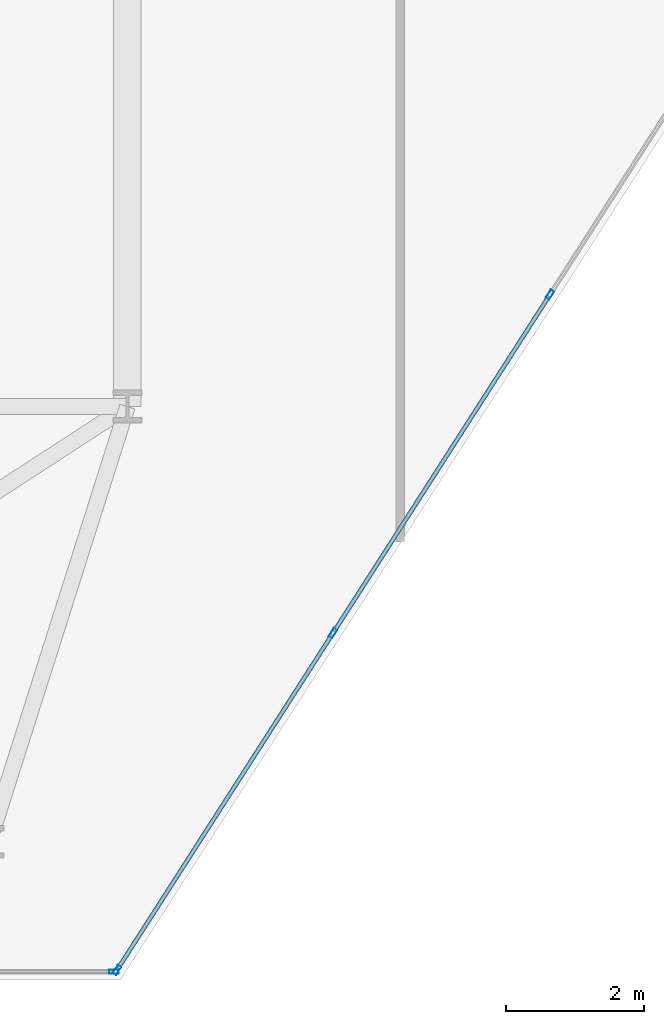
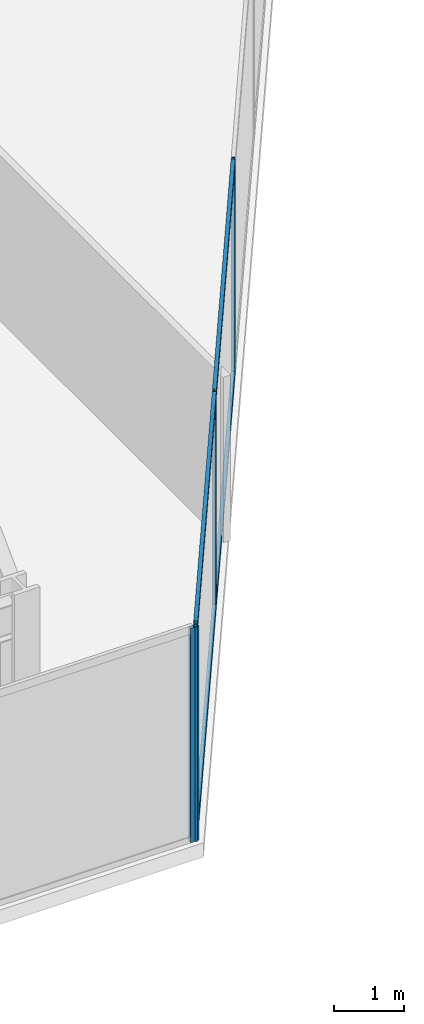
# One storey, part 7 of 26: 8 members, 2 elements without a shape of their own.
"""IFC4 building model written with IfcOpenShell, lengths in metres."""

from ifc_helpers import new_model, si_unit, direction, frame, origin, origin_2d, place, context, subcontext, project, spatial, hollow_rectangle, extrude, material, layer, layer_set, material_profile, profile_set, type_object, element, aggregate, save


model = new_model("IFC4")

# Units and contexts
model_context = context("Model", 3, precision=1e-05, world=origin(), true_north=direction((0.0, 1.0)))
body_context = subcontext(model_context, "Body", "Model", "MODEL_VIEW")
ifc_project = project(units=[si_unit("LENGTHUNIT", "METRE"), si_unit("AREAUNIT", "SQUARE_METRE"), si_unit("VOLUMEUNIT", "CUBIC_METRE"), si_unit("PLANEANGLEUNIT", "RADIAN"), si_unit("MASSUNIT", "GRAM", prefix="KILO")], contexts=[model_context])

# Site, building, storey
site_placement = place(None, origin())
site = spatial("IfcSite", under=ifc_project, at=site_placement, CompositionType="ELEMENT")
building_placement = place(site_placement, origin())
building = spatial("IfcBuilding", under=site, at=building_placement, Name="Kravanh Interchange Tower", CompositionType="ELEMENT")
storey_placement = place(building_placement, frame((0.0, 0.0, 100.0)))
storey = spatial("IfcBuildingStorey", under=building, at=storey_placement, Name="L23", CompositionType="ELEMENT", Elevation=100.0)

# Curtain wall, members
ifc_material_1 = material(Name="Anodised Bronze Aluminium", Category="aluminium")
ifc_layer = layer(ifc_material_1, 0.179931640625)
ifc_layer_set = layer_set([ifc_layer], Name="Unitised Curtain Wall System CW-Z2 Mid Office")
curtain_wall_type = type_object("IfcCurtainWallType", Name="Unitised Curtain Wall System CW-Z2 Mid Office", PredefinedType="NOTDEFINED", material=ifc_layer_set)
curtain_wall_1_placement = place(storey_placement, origin())
curtain_wall_1 = element("IfcCurtainWall", 1, at=curtain_wall_1_placement, inside=storey, type_object=curtain_wall_type, Name="L23 Unitised Curtain Wall CW-L23-05", PredefinedType="NOTDEFINED")
ifc_material_2 = material(Name="Anodised Bronze Aluminium", Category="aluminium")
ifc_material_profile_1 = material_profile(ifc_material_2, hollow_rectangle(XDim=0.06005859375, YDim=0.139892578125, WallThickness=0.00390625, at=origin_2d()), Name="ALU60X140X4")
ifc_profile_set_1 = profile_set([ifc_material_profile_1], Name="Anodised Bronze Aluminium")
member_type_1 = type_object("IfcMemberType", Name="Curtain Wall Mullion ALU60X140X4 Bronze", PredefinedType="MULLION", material=ifc_profile_set_1)
member_1_placement = place(storey_placement, frame((33.317138671875, 16.12109375, 0.0), z_axis=(0.0, 0.0, 1.0), x_axis=(0.841879939476, -0.539664865919, 0.0)))
member_1 = element("IfcMember", 2, at=member_1_placement, type_object=member_type_1, Name="CW-Z2 mullion 3", PredefinedType="MULLION", context=body_context, shape_type="SweptSolid", body=[
    extrude(hollow_rectangle(XDim=0.06005859375, YDim=0.139892578125, WallThickness=0.00390625, at=origin_2d()), origin(), (0.0, 0.0, 1.0), 3.75),
])
member_2_placement = place(storey_placement, frame((30.17578125, 11.220703125, 0.0), z_axis=(0.0, 0.0, 1.0), x_axis=(0.841879939476, -0.539664865919, 0.0)))
member_2 = element("IfcMember", 3, at=member_2_placement, type_object=member_type_1, Name="CW-Z2 mullion 4", PredefinedType="MULLION", context=body_context, shape_type="SweptSolid", body=[
    extrude(hollow_rectangle(XDim=0.06005859375, YDim=0.139892578125, WallThickness=0.00390625, at=origin_2d()), origin(), (0.0, 0.0, 1.0), 3.75),
])
member_3_placement = place(storey_placement, frame((27.050537109375, 6.34521484375, 0.0), z_axis=(0.0, 0.0, 1.0), x_axis=(0.841879939476, -0.539664865919, 0.0)))
member_3 = element("IfcMember", 4, at=member_3_placement, type_object=member_type_1, Name="CW-Z2 mullion 5", PredefinedType="MULLION", context=body_context, shape_type="SweptSolid", body=[
    extrude(hollow_rectangle(XDim=0.06005859375, YDim=0.139892578125, WallThickness=0.00390625, at=origin_2d()), origin(), (0.0, 0.0, 1.0), 3.75),
])

# Curtain wall, member
curtain_wall_2_placement = place(storey_placement, origin())
curtain_wall_2 = element("IfcCurtainWall", 5, at=curtain_wall_2_placement, inside=storey, type_object=curtain_wall_type, Name="L23 Unitised Curtain Wall CW-L23-06", PredefinedType="NOTDEFINED")
member_4_placement = place(storey_placement, frame((27.00439453125, 6.320068359375, 0.0), z_axis=(0.0, 0.0, 1.0), x_axis=(0.0, -1.0, 0.0)))
member_4 = element("IfcMember", 6, at=member_4_placement, type_object=member_type_1, Name="CW-Z2 mullion 1", PredefinedType="MULLION", context=body_context, shape_type="SweptSolid", body=[
    extrude(hollow_rectangle(XDim=0.06005859375, YDim=0.139892578125, WallThickness=0.00390625, at=origin_2d()), origin(), (0.0, 0.0, 1.0), 3.75),
])
aggregate(curtain_wall_2, [member_4])

# Member
ifc_material_3 = material(Name="Anodised Bronze Aluminium", Category="aluminium")
ifc_material_profile_2 = material_profile(ifc_material_3, hollow_rectangle(XDim=0.06005859375, YDim=0.139892578125, WallThickness=0.00390625, at=origin_2d()), Name="ALU60X140X4")
ifc_profile_set_2 = profile_set([ifc_material_profile_2], Name="Anodised Bronze Aluminium")
member_type_2 = type_object("IfcMemberType", Name="Curtain Wall Transom ALU60X140X4 Bronze", PredefinedType="USERDEFINED", material=ifc_profile_set_2)
member_5_placement = place(storey_placement, frame((33.301025390625, 16.095947265625, 0.030029296875), z_axis=(-0.539677666788, -0.84187173368, 0.0), x_axis=(0.84187173368, -0.539677666788, 0.0)))
member_5 = element("IfcMember", 7, at=member_5_placement, type_object=member_type_2, Name="CW-Z2 transom 3.1", ObjectType="TRANSOM", PredefinedType="USERDEFINED", context=body_context, shape_type="SweptSolid", body=[
    extrude(hollow_rectangle(XDim=0.06005859375, YDim=0.139892578125, WallThickness=0.00390625, at=origin_2d()), origin(), (0.0, 0.0, 1.0), 5.760986328125),
])

member_6_placement = place(storey_placement, frame((33.301025390625, 16.095947265625, 3.719970703125), z_axis=(-0.539677666788, -0.84187173368, 0.0), x_axis=(0.84187173368, -0.539677666788, 0.0)))
member_6 = element("IfcMember", 8, at=member_6_placement, type_object=member_type_2, Name="CW-Z2 transom 3.2", ObjectType="TRANSOM", PredefinedType="USERDEFINED", context=body_context, shape_type="SweptSolid", body=[
    extrude(hollow_rectangle(XDim=0.06005859375, YDim=0.139892578125, WallThickness=0.00390625, at=origin_2d()), origin(), (0.0, 0.0, 1.0), 5.760986328125),
])

member_7_placement = place(storey_placement, frame((30.15966796875, 11.1953125, 0.030029296875), z_axis=(-0.53966766312, -0.841878146398, 0.0), x_axis=(0.841878146398, -0.53966766312, 0.0)))
member_7 = element("IfcMember", 9, at=member_7_placement, type_object=member_type_2, Name="CW-Z2 transom 4.1", ObjectType="TRANSOM", PredefinedType="USERDEFINED", context=body_context, shape_type="SweptSolid", body=[
    extrude(hollow_rectangle(XDim=0.06005859375, YDim=0.139892578125, WallThickness=0.00390625, at=origin_2d()), origin(), (0.0, 0.0, 1.0), 5.73095703125),
])

member_8_placement = place(storey_placement, frame((30.15966796875, 11.1953125, 3.719970703125), z_axis=(-0.53966766312, -0.841878146398, 0.0), x_axis=(0.841878146398, -0.53966766312, 0.0)))
member_8 = element("IfcMember", 10, at=member_8_placement, type_object=member_type_2, Name="CW-Z2 transom 4.2", ObjectType="TRANSOM", PredefinedType="USERDEFINED", context=body_context, shape_type="SweptSolid", body=[
    extrude(hollow_rectangle(XDim=0.06005859375, YDim=0.139892578125, WallThickness=0.00390625, at=origin_2d()), origin(), (0.0, 0.0, 1.0), 5.73095703125),
])

aggregate(curtain_wall_1, [member_1, member_2, member_3, member_5, member_6, member_7, member_8])

save(model, "model.ifc")
